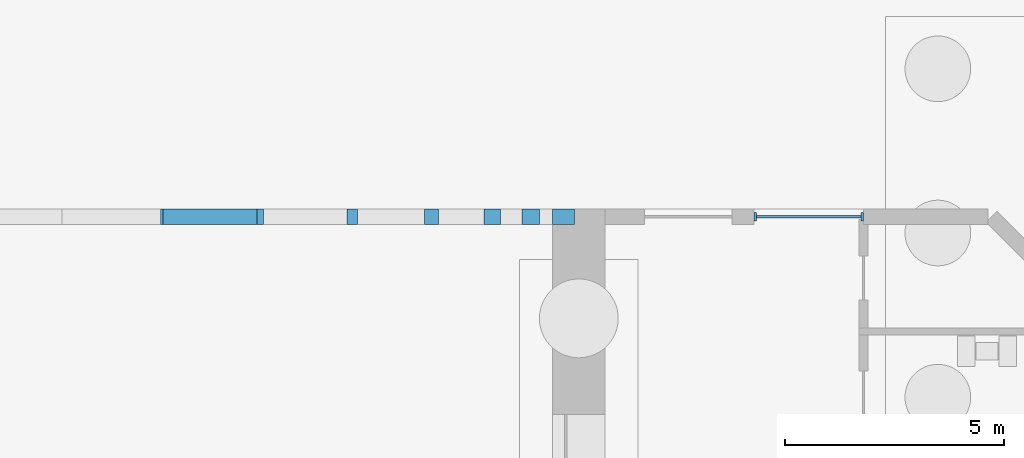
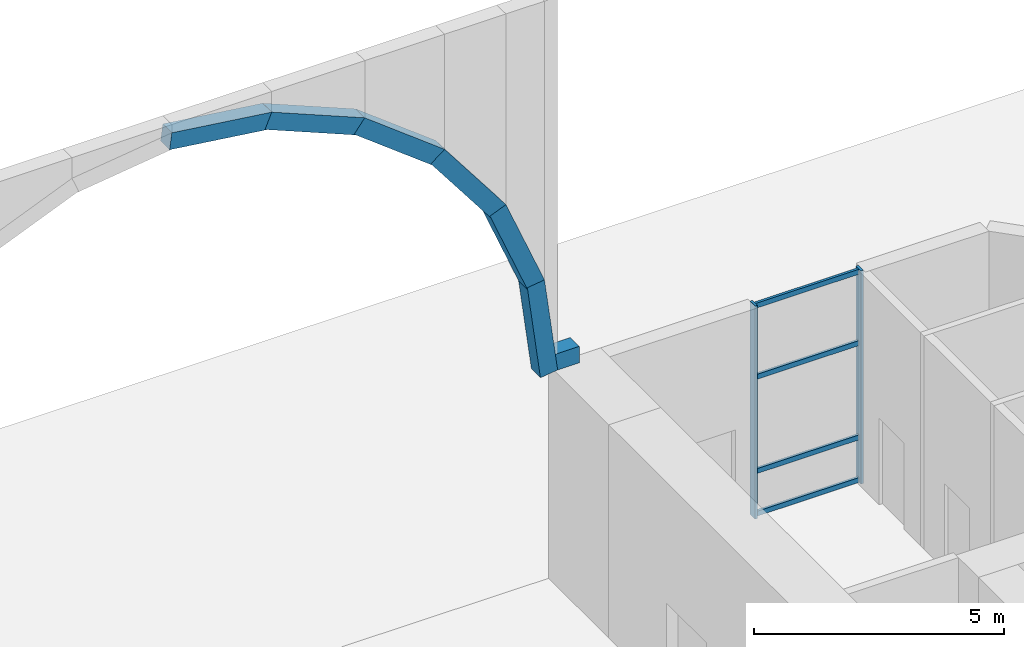
# One storey, part 7 of 26: 7 beams, 6 members, 1 element without a shape of its own.
"""IFC4 building model written with IfcOpenShell, lengths in metres."""

from ifc_helpers import new_model, si_unit, direction, frame, origin, origin_2d, place, context, subcontext, project, spatial, rectangle, extrude, material, material_profile, profile_set, type_object, element, aggregate, save


model = new_model("IFC4")

# Units and contexts
model_context = context("Model", 3, precision=1e-05, world=origin(), true_north=direction((0.0, 1.0)))
body_context = subcontext(model_context, "Body", "Model", "MODEL_VIEW")
ifc_project = project(units=[si_unit("LENGTHUNIT", "METRE"), si_unit("AREAUNIT", "SQUARE_METRE"), si_unit("VOLUMEUNIT", "CUBIC_METRE"), si_unit("PLANEANGLEUNIT", "RADIAN"), si_unit("MASSUNIT", "GRAM", prefix="KILO")], contexts=[model_context])

# Site, building, storey
site_placement = place(None, origin())
site = spatial("IfcSite", under=ifc_project, at=site_placement, CompositionType="ELEMENT")
building_placement = place(site_placement, origin())
building = spatial("IfcBuilding", under=site, at=building_placement, Name="Tuart Gate Housing", CompositionType="ELEMENT")
storey_placement = place(building_placement, origin())
storey = spatial("IfcBuildingStorey", under=building, at=storey_placement, Name="L00", CompositionType="ELEMENT", Elevation=0.0)

# Curtain wall, members
ifc_material_1 = material(Name="Aluminium and clear glass", Category="aluminium")
curtain_wall_type = type_object("IfcCurtainWallType", Name="Ground storey glazing", PredefinedType="USERDEFINED", material=ifc_material_1)
curtain_wall_placement = place(storey_placement, origin())
curtain_wall = element("IfcCurtainWall", 1, at=curtain_wall_placement, inside=storey, type_object=curtain_wall_type, Name="Ground storey glazing A-N L00", ObjectType="GROUND STOREY GLAZING", PredefinedType="USERDEFINED")
ifc_material_2 = material(Name="Anodised aluminium", Category="aluminium")
ifc_material_profile_1 = material_profile(ifc_material_2, rectangle(XDim=0.06005859375, YDim=0.199951171875, at=origin_2d()), Name="60x200")
ifc_profile_set_1 = profile_set([ifc_material_profile_1], Name="Anodised aluminium")
member_type_1 = type_object("IfcMemberType", Name="Mullion 60 x 200", PredefinedType="MULLION", material=ifc_profile_set_1)
member_1_placement = place(storey_placement, frame((69.969970703125, 85.820068359375, 0.0), z_axis=(0.0, 0.0, 1.0), x_axis=(-1.0, 0.0, 0.0)))
member_1 = element("IfcMember", 2, at=member_1_placement, type_object=member_type_1, Name="CW2 mullion 1", PredefinedType="MULLION", context=body_context, shape_type="SweptSolid", body=[
    extrude(rectangle(XDim=0.06005859375, YDim=0.199951171875, at=origin_2d()), origin(), (0.0, 0.0, 1.0), 5.199951171875),
])
member_2_placement = place(storey_placement, frame((67.530029296875, 85.820068359375, 0.0), z_axis=(0.0, 0.0, 1.0), x_axis=(-1.0, 0.0, 0.0)))
member_2 = element("IfcMember", 3, at=member_2_placement, type_object=member_type_1, Name="CW2 mullion 2", PredefinedType="MULLION", context=body_context, shape_type="SweptSolid", body=[
    extrude(rectangle(XDim=0.06005859375, YDim=0.199951171875, at=origin_2d()), origin(), (0.0, 0.0, 1.0), 5.199951171875),
])

# Beams
ifc_material_3 = material(Name="Concrete C50", Category="concrete")
ifc_material_profile_2 = material_profile(ifc_material_3, rectangle(XDim=0.360107421875, YDim=0.39990234375, at=origin_2d()), Name="RC arch ring 360 x 400")
ifc_profile_set_2 = profile_set([ifc_material_profile_2], Name="Concrete C50")
beam_type = type_object("IfcBeamType", Name="RC arch ring 360 x 400", PredefinedType="BEAM", material=ifc_profile_set_2)
for number, where, z_axis, x_axis, name in (
    (4, (53.973876953125, 85.820068359375, 14.001708984375), (0.991446782947, 0.0, -0.130511595593), (0.0, 1.0, 0.0), "Arch rib beam AN segment 6"),
    (5, (56.22705078125, 85.820068359375, 13.7119140625), (0.923907975937, 0.0, -0.382614756641), (0.0, 1.0, 0.0), "Arch rib beam AN segment 7"),
):
    element("IfcBeam", number, at=place(storey_placement, frame(where, z_axis=z_axis, x_axis=x_axis)), inside=storey, type_object=beam_type, Name=name, PredefinedType="BEAM", context=body_context, shape_type="SweptSolid", body=[
        extrude(rectangle(XDim=0.360107421875, YDim=0.39990234375, at=origin_2d()), origin(), (0.0, 0.0, 1.0), 2.3232421875),
    ])
for number, where, z_axis, x_axis, name in (
    (6, (58.328125, 85.820068359375, 12.84912109375), (0.793318767754, 0.0, -0.608806482168), (0.0, 1.0, 0.0), "Arch rib beam AN segment 8"),
    (7, (60.134521484375, 85.820068359375, 11.471435546875), (0.608806482168, 0.0, -0.793318767754), (0.0, 1.0, 0.0), "Arch rib beam AN segment 9"),
):
    element("IfcBeam", number, at=place(storey_placement, frame(where, z_axis=z_axis, x_axis=x_axis)), inside=storey, type_object=beam_type, Name=name, PredefinedType="BEAM", context=body_context, shape_type="SweptSolid", body=[
        extrude(rectangle(XDim=0.360107421875, YDim=0.39990234375, at=origin_2d()), origin(), (0.0, 0.0, 1.0), 2.323486328125),
    ])
for number, where, z_axis, x_axis, name in (
    (8, (61.52294921875, 85.820068359375, 9.673583984375), (0.382704452476, 0.0, -0.923870825416), (0.0, 1.0, 0.0), "Arch rib beam AN segment 10"),
    (9, (62.3984375, 85.820068359375, 7.577392578125), (0.130511595593, 0.0, -0.991446782947), (0.0, 1.0, 0.0), "Arch rib beam AN segment 11"),
):
    element("IfcBeam", number, at=place(storey_placement, frame(where, z_axis=z_axis, x_axis=x_axis)), inside=storey, type_object=beam_type, Name=name, PredefinedType="BEAM", context=body_context, shape_type="SweptSolid", body=[
        extrude(rectangle(XDim=0.360107421875, YDim=0.39990234375, at=origin_2d()), origin(), (0.0, 0.0, 1.0), 2.3232421875),
    ])
beam_placement = place(storey_placement, frame((62.550048828125, 85.820068359375, 5.5), z_axis=(1.0, 0.0, 0.0), x_axis=(0.0, 1.0, 0.0)))
element("IfcBeam", 10, at=beam_placement, inside=storey, type_object=beam_type, Name="Arch seat beam AN east", PredefinedType="BEAM", context=body_context, shape_type="SweptSolid", body=[
    extrude(rectangle(XDim=0.360107421875, YDim=0.39990234375, at=origin_2d()), origin(), (0.0, 0.0, 1.0), 0.849853515625),
])

# Member
ifc_material_4 = material(Name="Anodised aluminium", Category="aluminium")
ifc_material_profile_3 = material_profile(ifc_material_4, rectangle(XDim=0.06005859375, YDim=0.1201171875, at=origin_2d()), Name="60x120")
ifc_profile_set_3 = profile_set([ifc_material_profile_3], Name="Anodised aluminium")
member_type_2 = type_object("IfcMemberType", Name="Transom 60 x 120", PredefinedType="USERDEFINED", material=ifc_profile_set_3)
member_3_placement = place(storey_placement, frame((69.93994140625, 85.820068359375, 0.06005859375), z_axis=(-1.0, 0.0, 0.0), x_axis=(0.0, -1.0, 0.0)))
member_3 = element("IfcMember", 11, at=member_3_placement, type_object=member_type_2, Name="CW2 transom 1.1", ObjectType="TRANSOM", PredefinedType="USERDEFINED", context=body_context, shape_type="SweptSolid", body=[
    extrude(rectangle(XDim=0.06005859375, YDim=0.1201171875, at=origin_2d()), origin(), (0.0, 0.0, 1.0), 2.3798828125),
])

member_4_placement = place(storey_placement, frame((69.93994140625, 85.820068359375, 1.10009765625), z_axis=(-1.0, 0.0, 0.0), x_axis=(0.0, -1.0, 0.0)))
member_4 = element("IfcMember", 12, at=member_4_placement, type_object=member_type_2, Name="CW2 transom 1.2", ObjectType="TRANSOM", PredefinedType="USERDEFINED", context=body_context, shape_type="SweptSolid", body=[
    extrude(rectangle(XDim=0.06005859375, YDim=0.1201171875, at=origin_2d()), origin(), (0.0, 0.0, 1.0), 2.3798828125),
])

member_5_placement = place(storey_placement, frame((69.93994140625, 85.820068359375, 3.39990234375), z_axis=(-1.0, 0.0, 0.0), x_axis=(0.0, -1.0, 0.0)))
member_5 = element("IfcMember", 13, at=member_5_placement, type_object=member_type_2, Name="CW2 transom 1.3", ObjectType="TRANSOM", PredefinedType="USERDEFINED", context=body_context, shape_type="SweptSolid", body=[
    extrude(rectangle(XDim=0.06005859375, YDim=0.1201171875, at=origin_2d()), origin(), (0.0, 0.0, 1.0), 2.3798828125),
])

member_6_placement = place(storey_placement, frame((69.93994140625, 85.820068359375, 5.139892578125), z_axis=(-1.0, 0.0, 0.0), x_axis=(0.0, -1.0, 0.0)))
member_6 = element("IfcMember", 14, at=member_6_placement, type_object=member_type_2, Name="CW2 transom 1.4", ObjectType="TRANSOM", PredefinedType="USERDEFINED", context=body_context, shape_type="SweptSolid", body=[
    extrude(rectangle(XDim=0.06005859375, YDim=0.1201171875, at=origin_2d()), origin(), (0.0, 0.0, 1.0), 2.3798828125),
])

aggregate(curtain_wall, [member_1, member_2, member_3, member_4, member_5, member_6])

save(model, "model.ifc")
